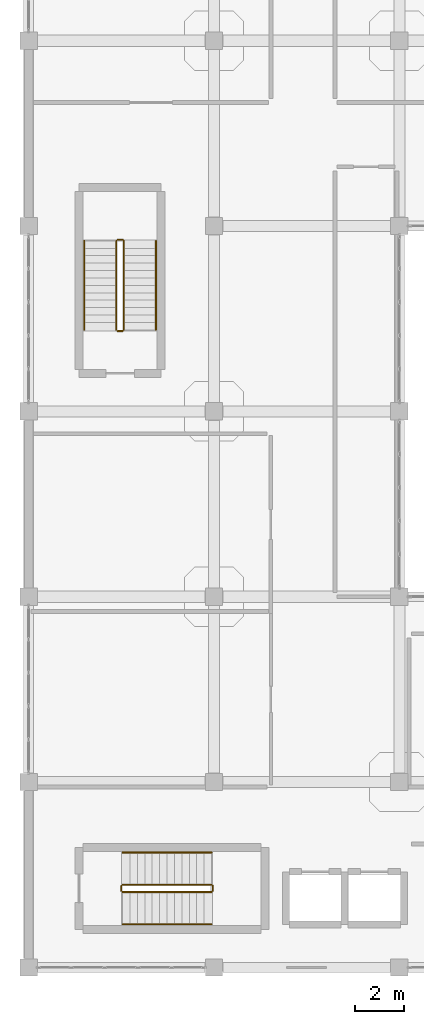
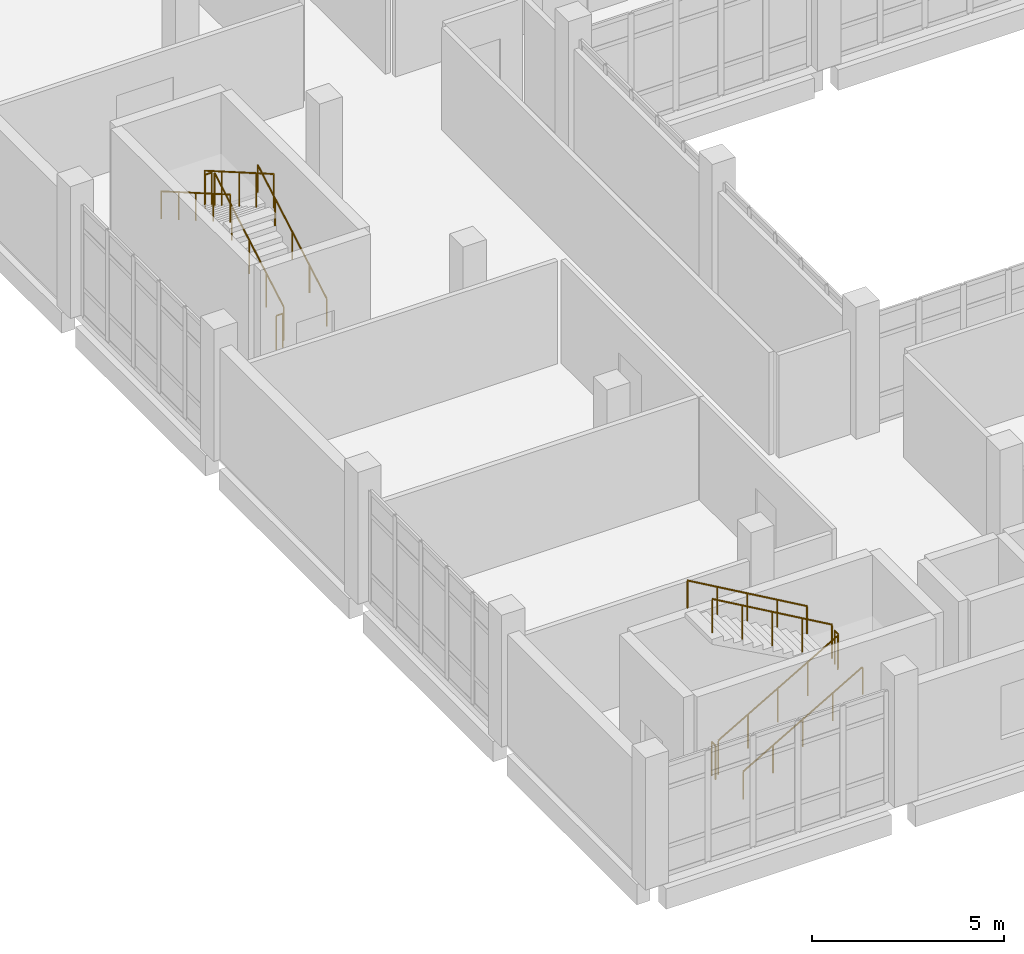
# One storey, part 154 of 164: 12 railings.
"""IFC4 building model written with IfcOpenShell, lengths in metres."""

from ifc_helpers import new_model, si_unit, direction, frame, origin, origin_2d, place, context, subcontext, project, spatial, circle, extrude, material, type_object, element, save


model = new_model("IFC4")

# Units and contexts
model_context = context("Model", 3, precision=1e-05, world=origin(), true_north=direction((0.0, 1.0)))
body_context = subcontext(model_context, "Body", "Model", "MODEL_VIEW")
ifc_project = project(units=[si_unit("LENGTHUNIT", "METRE"), si_unit("AREAUNIT", "SQUARE_METRE"), si_unit("VOLUMEUNIT", "CUBIC_METRE"), si_unit("PLANEANGLEUNIT", "RADIAN"), si_unit("MASSUNIT", "GRAM", prefix="KILO")], contexts=[model_context])

# Site, building, storey
site_placement = place(None, origin())
site = spatial("IfcSite", under=ifc_project, at=site_placement, CompositionType="ELEMENT")
building_placement = place(site_placement, origin())
building = spatial("IfcBuilding", under=site, at=building_placement, Name="Mawjan Specialist Oncology Clinic", CompositionType="ELEMENT")
storey_placement = place(building_placement, frame((0.0, 0.0, 5.0)))
storey = spatial("IfcBuildingStorey", under=building, at=storey_placement, Name="L01", CompositionType="ELEMENT", Elevation=5.0)

# Railings
ifc_material_1 = material(Name="Powder-coated steel stair guard with vertical infill pickets", Category="steel")
railing_type_1 = type_object("IfcRailingType", Name="GR-110", PredefinedType="GUARDRAIL", material=ifc_material_1)
railing_1_placement = place(storey_placement, frame((3.800048828125, 3.85009765625, 0.173095703125)))
element("IfcRailing", 1, at=railing_1_placement, inside=storey, type_object=railing_type_1, Name="L01 ST-01 stair guard 1", PredefinedType="GUARDRAIL", context=body_context, shape_type="SweptSolid", body=[
    extrude(circle(Radius=0.02392578125, at=origin_2d()), frame((0.0, 0.0, 1.076171875), z_axis=(0.866178740119, 0.0, 0.499734319579), x_axis=(0.0, 1.0, 0.0)), (0.0, 0.0, 1.0), 4.156005859375),
    extrude(circle(Radius=0.02099609375, at=origin_2d()), origin(), (0.0, 0.0, 1.0), 1.052001953125),
    extrude(circle(Radius=0.02099609375, at=origin_2d()), frame((0.89990234375, 0.0, 0.519287109375)), (0.0, 0.0, 1.0), 1.052001953125),
    extrude(circle(Radius=0.02099609375, at=origin_2d()), frame((1.7998046875, 0.0, 1.03857421875)), (0.0, 0.0, 1.0), 1.052001953125),
    extrude(circle(Radius=0.02099609375, at=origin_2d()), frame((2.699951171875, 0.0, 1.5576171875)), (0.0, 0.0, 1.0), 1.052001953125),
    extrude(circle(Radius=0.02099609375, at=origin_2d()), frame((3.599853515625, 0.0, 2.076904296875)), (0.0, 0.0, 1.0), 1.052001953125),
])
railing_2_placement = place(storey_placement, frame((7.449951171875, 3.89990234375, 2.25)))
element("IfcRailing", 2, at=railing_2_placement, inside=storey, type_object=railing_type_1, Name="L01 ST-01 stair guard 2", PredefinedType="GUARDRAIL", context=body_context, shape_type="SweptSolid", body=[
    extrude(circle(Radius=0.02392578125, at=origin_2d()), frame((0.0, 0.0, 1.076171875), z_axis=(0.0, 1.0, 0.0), x_axis=(-1.0, 0.0, 0.0)), (0.0, 0.0, 1.0), 0.2001953125),
    extrude(circle(Radius=0.02099609375, at=origin_2d()), origin(), (0.0, 0.0, 1.0), 1.052001953125),
    extrude(circle(Radius=0.02099609375, at=origin_2d()), frame((0.0, 0.2001953125, 0.0)), (0.0, 0.0, 1.0), 1.052001953125),
])
railing_3_placement = place(storey_placement, frame((7.39990234375, 4.14990234375, 2.423095703125)))
element("IfcRailing", 3, at=railing_3_placement, inside=storey, type_object=railing_type_1, Name="L01 ST-01 stair guard 3", PredefinedType="GUARDRAIL", context=body_context, shape_type="SweptSolid", body=[
    extrude(circle(Radius=0.02392578125, at=origin_2d()), frame((0.0, 0.0, 1.076171875), z_axis=(-0.866178740119, 0.0, 0.499734319579), x_axis=(0.0, -1.0, 0.0)), (0.0, 0.0, 1.0), 4.156005859375),
    extrude(circle(Radius=0.02099609375, at=origin_2d()), origin(), (0.0, 0.0, 1.0), 1.052001953125),
    extrude(circle(Radius=0.02099609375, at=origin_2d()), frame((-0.89990234375, 0.0, 0.519287109375)), (0.0, 0.0, 1.0), 1.052001953125),
    extrude(circle(Radius=0.02099609375, at=origin_2d()), frame((-1.7998046875, 0.0, 1.03857421875)), (0.0, 0.0, 1.0), 1.052001953125),
    extrude(circle(Radius=0.02099609375, at=origin_2d()), frame((-2.699951171875, 0.0, 1.5576171875)), (0.0, 0.0, 1.0), 1.052001953125),
    extrude(circle(Radius=0.02099609375, at=origin_2d()), frame((-3.599853515625, 0.0, 2.076904296875)), (0.0, 0.0, 1.0), 1.052001953125),
])
railing_4_placement = place(storey_placement, frame((3.75, 3.89990234375, 0.0)))
element("IfcRailing", 4, at=railing_4_placement, inside=storey, type_object=railing_type_1, Name="L01 ST-01 stair guard 4", PredefinedType="GUARDRAIL", context=body_context, shape_type="SweptSolid", body=[
    extrude(circle(Radius=0.02392578125, at=origin_2d()), frame((0.0, 0.0, 1.076171875), z_axis=(0.0, 1.0, 0.0), x_axis=(-1.0, 0.0, 0.0)), (0.0, 0.0, 1.0), 0.2001953125),
    extrude(circle(Radius=0.02099609375, at=origin_2d()), origin(), (0.0, 0.0, 1.0), 1.052001953125),
    extrude(circle(Radius=0.02099609375, at=origin_2d()), frame((0.0, 0.2001953125, 0.0)), (0.0, 0.0, 1.0), 1.052001953125),
])
railing_5_placement = place(storey_placement, frame((3.85009765625, 26.60009765625, 0.173095703125)))
element("IfcRailing", 5, at=railing_5_placement, inside=storey, type_object=railing_type_1, Name="L01 ST-02 stair guard 1", PredefinedType="GUARDRAIL", context=body_context, shape_type="SweptSolid", body=[
    extrude(circle(Radius=0.02392578125, at=origin_2d()), frame((0.0, 0.0, 1.076171875), z_axis=(0.0, 0.866178740119, 0.499734319579), x_axis=(-1.0, 0.0, 0.0)), (0.0, 0.0, 1.0), 4.156005859375),
    extrude(circle(Radius=0.02099609375, at=origin_2d()), origin(), (0.0, 0.0, 1.0), 1.052001953125),
    extrude(circle(Radius=0.02099609375, at=origin_2d()), frame((0.0, 0.89990234375, 0.519287109375)), (0.0, 0.0, 1.0), 1.052001953125),
    extrude(circle(Radius=0.02099609375, at=origin_2d()), frame((0.0, 1.7998046875, 1.03857421875)), (0.0, 0.0, 1.0), 1.052001953125),
    extrude(circle(Radius=0.02099609375, at=origin_2d()), frame((0.0, 2.699951171875, 1.5576171875)), (0.0, 0.0, 1.0), 1.052001953125),
    extrude(circle(Radius=0.02099609375, at=origin_2d()), frame((0.0, 3.599853515625, 2.076904296875)), (0.0, 0.0, 1.0), 1.052001953125),
])
railing_6_placement = place(storey_placement, frame((3.800048828125, 30.25, 2.25)))
element("IfcRailing", 6, at=railing_6_placement, inside=storey, type_object=railing_type_1, Name="L01 ST-02 stair guard 2", PredefinedType="GUARDRAIL", context=body_context, shape_type="SweptSolid", body=[
    extrude(circle(Radius=0.02392578125, at=origin_2d()), frame((0.0, 0.0, 1.076171875), z_axis=(-1.0, 0.0, 0.0), x_axis=(0.0, -1.0, 0.0)), (0.0, 0.0, 1.0), 0.199951171875),
    extrude(circle(Radius=0.02099609375, at=origin_2d()), origin(), (0.0, 0.0, 1.0), 1.052001953125),
    extrude(circle(Radius=0.02099609375, at=origin_2d()), frame((-0.199951171875, 0.0, 0.0)), (0.0, 0.0, 1.0), 1.052001953125),
])
railing_7_placement = place(storey_placement, frame((3.550048828125, 30.199951171875, 2.423095703125)))
element("IfcRailing", 7, at=railing_7_placement, inside=storey, type_object=railing_type_1, Name="L01 ST-02 stair guard 3", PredefinedType="GUARDRAIL", context=body_context, shape_type="SweptSolid", body=[
    extrude(circle(Radius=0.02392578125, at=origin_2d()), frame((0.0, 0.0, 1.076171875), z_axis=(0.0, -0.866178740119, 0.499734319579), x_axis=(1.0, 0.0, 0.0)), (0.0, 0.0, 1.0), 4.156005859375),
    extrude(circle(Radius=0.02099609375, at=origin_2d()), origin(), (0.0, 0.0, 1.0), 1.052001953125),
    extrude(circle(Radius=0.02099609375, at=origin_2d()), frame((0.0, -0.89990234375, 0.519287109375)), (0.0, 0.0, 1.0), 1.052001953125),
    extrude(circle(Radius=0.02099609375, at=origin_2d()), frame((0.0, -1.7998046875, 1.03857421875)), (0.0, 0.0, 1.0), 1.052001953125),
    extrude(circle(Radius=0.02099609375, at=origin_2d()), frame((0.0, -2.699951171875, 1.5576171875)), (0.0, 0.0, 1.0), 1.052001953125),
    extrude(circle(Radius=0.02099609375, at=origin_2d()), frame((0.0, -3.599853515625, 2.076904296875)), (0.0, 0.0, 1.0), 1.052001953125),
])
railing_8_placement = place(storey_placement, frame((3.800048828125, 26.550048828125, 0.0)))
element("IfcRailing", 8, at=railing_8_placement, inside=storey, type_object=railing_type_1, Name="L01 ST-02 stair guard 4", PredefinedType="GUARDRAIL", context=body_context, shape_type="SweptSolid", body=[
    extrude(circle(Radius=0.02392578125, at=origin_2d()), frame((0.0, 0.0, 1.076171875), z_axis=(-1.0, 0.0, 0.0), x_axis=(0.0, -1.0, 0.0)), (0.0, 0.0, 1.0), 0.199951171875),
    extrude(circle(Radius=0.02099609375, at=origin_2d()), origin(), (0.0, 0.0, 1.0), 1.052001953125),
    extrude(circle(Radius=0.02099609375, at=origin_2d()), frame((-0.199951171875, 0.0, 0.0)), (0.0, 0.0, 1.0), 1.052001953125),
])
ifc_material_2 = material(Name="Brushed stainless-steel tubular handrail", Category="steel")
railing_type_2 = type_object("IfcRailingType", Name="HR-090", PredefinedType="HANDRAIL", material=ifc_material_2)
railing_9_placement = place(storey_placement, frame((3.800048828125, 2.550048828125, 0.173095703125)))
element("IfcRailing", 9, at=railing_9_placement, inside=storey, type_object=railing_type_2, Name="L01 ST-01 stair handrail 1", PredefinedType="HANDRAIL", context=body_context, shape_type="SweptSolid", body=[
    extrude(circle(Radius=0.02392578125, at=origin_2d()), frame((0.0, 0.0, 0.8759765625), z_axis=(0.866178740119, 0.0, 0.499734319579), x_axis=(0.0, 1.0, 0.0)), (0.0, 0.0, 1.0), 4.156005859375),
    extrude(circle(Radius=0.02099609375, at=origin_2d()), origin(), (0.0, 0.0, 1.0), 0.851806640625),
    extrude(circle(Radius=0.02099609375, at=origin_2d()), frame((0.89990234375, 0.0, 0.519287109375)), (0.0, 0.0, 1.0), 0.851806640625),
    extrude(circle(Radius=0.02099609375, at=origin_2d()), frame((1.7998046875, 0.0, 1.03857421875)), (0.0, 0.0, 1.0), 0.851806640625),
    extrude(circle(Radius=0.02099609375, at=origin_2d()), frame((2.699951171875, 0.0, 1.5576171875)), (0.0, 0.0, 1.0), 0.851806640625),
    extrude(circle(Radius=0.02099609375, at=origin_2d()), frame((3.599853515625, 0.0, 2.076904296875)), (0.0, 0.0, 1.0), 0.851806640625),
])
railing_10_placement = place(storey_placement, frame((7.39990234375, 5.449951171875, 2.423095703125)))
element("IfcRailing", 10, at=railing_10_placement, inside=storey, type_object=railing_type_2, Name="L01 ST-01 stair handrail 2", PredefinedType="HANDRAIL", context=body_context, shape_type="SweptSolid", body=[
    extrude(circle(Radius=0.02392578125, at=origin_2d()), frame((0.0, 0.0, 0.8759765625), z_axis=(-0.866178740119, 0.0, 0.499734319579), x_axis=(0.0, -1.0, 0.0)), (0.0, 0.0, 1.0), 4.156005859375),
    extrude(circle(Radius=0.02099609375, at=origin_2d()), origin(), (0.0, 0.0, 1.0), 0.851806640625),
    extrude(circle(Radius=0.02099609375, at=origin_2d()), frame((-0.89990234375, 0.0, 0.519287109375)), (0.0, 0.0, 1.0), 0.851806640625),
    extrude(circle(Radius=0.02099609375, at=origin_2d()), frame((-1.7998046875, 0.0, 1.03857421875)), (0.0, 0.0, 1.0), 0.851806640625),
    extrude(circle(Radius=0.02099609375, at=origin_2d()), frame((-2.699951171875, 0.0, 1.5576171875)), (0.0, 0.0, 1.0), 0.851806640625),
    extrude(circle(Radius=0.02099609375, at=origin_2d()), frame((-3.599853515625, 0.0, 2.076904296875)), (0.0, 0.0, 1.0), 0.851806640625),
])
railing_11_placement = place(storey_placement, frame((5.14990234375, 26.60009765625, 0.173095703125)))
element("IfcRailing", 11, at=railing_11_placement, inside=storey, type_object=railing_type_2, Name="L01 ST-02 stair handrail 1", PredefinedType="HANDRAIL", context=body_context, shape_type="SweptSolid", body=[
    extrude(circle(Radius=0.02392578125, at=origin_2d()), frame((0.0, 0.0, 0.8759765625), z_axis=(0.0, 0.866178740119, 0.499734319579), x_axis=(-1.0, 0.0, 0.0)), (0.0, 0.0, 1.0), 4.156005859375),
    extrude(circle(Radius=0.02099609375, at=origin_2d()), origin(), (0.0, 0.0, 1.0), 0.851806640625),
    extrude(circle(Radius=0.02099609375, at=origin_2d()), frame((0.0, 0.89990234375, 0.519287109375)), (0.0, 0.0, 1.0), 0.851806640625),
    extrude(circle(Radius=0.02099609375, at=origin_2d()), frame((0.0, 1.7998046875, 1.03857421875)), (0.0, 0.0, 1.0), 0.851806640625),
    extrude(circle(Radius=0.02099609375, at=origin_2d()), frame((0.0, 2.699951171875, 1.5576171875)), (0.0, 0.0, 1.0), 0.851806640625),
    extrude(circle(Radius=0.02099609375, at=origin_2d()), frame((0.0, 3.599853515625, 2.076904296875)), (0.0, 0.0, 1.0), 0.851806640625),
])
railing_12_placement = place(storey_placement, frame((2.25, 30.199951171875, 2.423095703125)))
element("IfcRailing", 12, at=railing_12_placement, inside=storey, type_object=railing_type_2, Name="L01 ST-02 stair handrail 2", PredefinedType="HANDRAIL", context=body_context, shape_type="SweptSolid", body=[
    extrude(circle(Radius=0.02392578125, at=origin_2d()), frame((0.0, 0.0, 0.8759765625), z_axis=(0.0, -0.866178740119, 0.499734319579), x_axis=(1.0, 0.0, 0.0)), (0.0, 0.0, 1.0), 4.156005859375),
    extrude(circle(Radius=0.02099609375, at=origin_2d()), origin(), (0.0, 0.0, 1.0), 0.851806640625),
    extrude(circle(Radius=0.02099609375, at=origin_2d()), frame((0.0, -0.89990234375, 0.519287109375)), (0.0, 0.0, 1.0), 0.851806640625),
    extrude(circle(Radius=0.02099609375, at=origin_2d()), frame((0.0, -1.7998046875, 1.03857421875)), (0.0, 0.0, 1.0), 0.851806640625),
    extrude(circle(Radius=0.02099609375, at=origin_2d()), frame((0.0, -2.699951171875, 1.5576171875)), (0.0, 0.0, 1.0), 0.851806640625),
    extrude(circle(Radius=0.02099609375, at=origin_2d()), frame((0.0, -3.599853515625, 2.076904296875)), (0.0, 0.0, 1.0), 0.851806640625),
])

save(model, "model.ifc")
